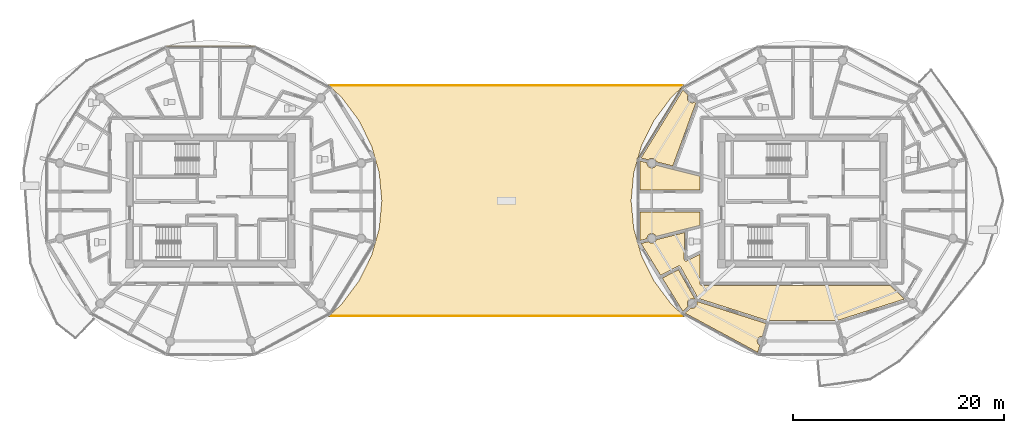
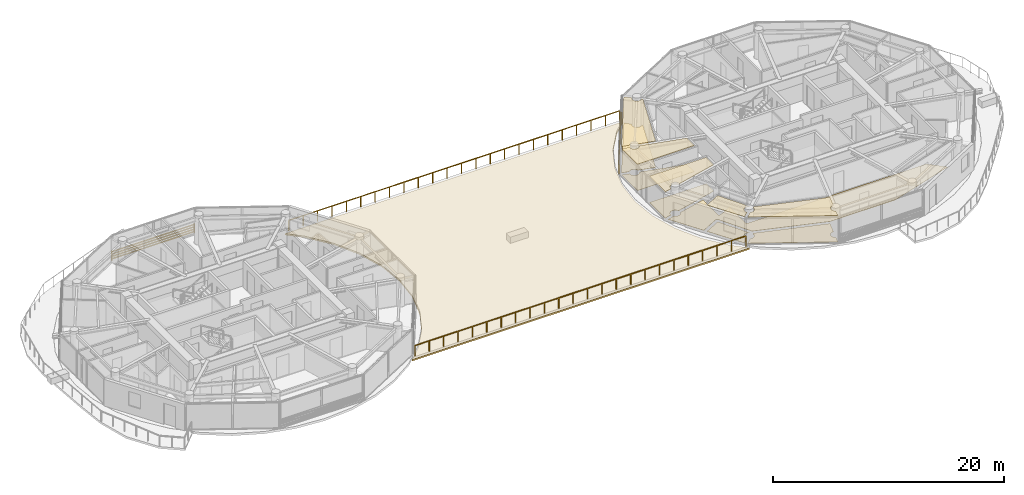
# One storey, part 24 of 30: 12 coverings, 2 railings, 2 shading devices.
"""IFC4 building model written with IfcOpenShell, lengths in metres."""

from ifc_helpers import new_model, si_unit, direction, frame, origin, origin_2d, place, context, subcontext, project, spatial, polyline, rectangle, outline, extrude, source, transform, mapped, material, layer, layer_set, type_object, type_shapes, element, save


model = new_model("IFC4")

# Units and contexts
model_context = context("Model", 3, precision=1e-05, world=origin(), true_north=direction((0.0, 1.0)))
body_context = subcontext(model_context, "Body", "Model", "MODEL_VIEW")
ifc_project = project(units=[si_unit("LENGTHUNIT", "METRE"), si_unit("AREAUNIT", "SQUARE_METRE"), si_unit("VOLUMEUNIT", "CUBIC_METRE"), si_unit("PLANEANGLEUNIT", "RADIAN"), si_unit("MASSUNIT", "GRAM", prefix="KILO")], contexts=[model_context])

# Site, building, storey
site_placement = place(None, origin())
site = spatial("IfcSite", under=ifc_project, at=site_placement, CompositionType="ELEMENT")
building_placement = place(site_placement, origin())
building = spatial("IfcBuilding", under=site, at=building_placement, Name="Norrkilde Senior Care Towers", CompositionType="ELEMENT")
storey_placement = place(building_placement, frame((0.0, 0.0, 232.199951171875)))
storey = spatial("IfcBuildingStorey", under=building, at=storey_placement, Name="L72", CompositionType="ELEMENT", Elevation=232.199951171875)

# Coverings
ifc_material_1 = material(Name="Nordic Ash Timber", Category="wood")
ifc_layer_1 = layer(ifc_material_1, 0.044921875)
ifc_layer_set_1 = layer_set([ifc_layer_1], Name="Nordic Ash Timber")
covering_type_1 = type_object("IfcCoveringType", Name="Acoustic Ash Timber Slatted Ceiling 45", PredefinedType="CEILING", material=ifc_layer_set_1)
covering_1_placement = place(storey_placement, frame((0.0, 0.0, 2.76513671875)))
element("IfcCovering", 1, at=covering_1_placement, inside=storey, type_object=covering_type_1, Name="L72 Suspended Ceiling 0446", PredefinedType="CEILING", context=body_context, shape_type="SweptSolid", body=[
    extrude(outline(polyline([(18.300048828125, -1.0400390625), (18.300048828125, -2.331298828125), (14.165771484375, -3.377685546875), (14.146728515625, -3.331298828125), (14.07421875, -3.237060546875), (13.97998046875, -3.164794921875), (13.870361328125, -3.119384765625), (13.752685546875, -3.103759765625), (13.634765625, -3.119384765625), (13.525146484375, -3.164794921875), (13.430908203125, -3.237060546875), (13.358642578125, -3.331298828125), (13.31298828125, -3.44091796875), (13.297607421875, -3.558837890625), (13.302490234375, -3.59619140625), (12.62646484375, -3.76708984375), (12.62646484375, -1.0400390625), (18.300048828125, -1.0400390625)])), origin(), (0.0, 0.0, 1.0), 0.044921875),
])
covering_2_placement = place(storey_placement, frame((0.0, 0.0, 2.76513671875)))
element("IfcCovering", 2, at=covering_2_placement, inside=storey, type_object=covering_type_1, Name="L72 Suspended Ceiling 0447", PredefinedType="CEILING", context=body_context, shape_type="SweptSolid", body=[
    extrude(outline(polyline([(18.300048828125, 1.0400390625), (12.62646484375, 1.0400390625), (12.62646484375, 3.76708984375), (13.302490234375, 3.59619140625), (13.297607421875, 3.558837890625), (13.31298828125, 3.44091796875), (13.358642578125, 3.331298828125), (13.430908203125, 3.237060546875), (13.525146484375, 3.164794921875), (13.634765625, 3.119384765625), (13.752685546875, 3.103759765625), (13.870361328125, 3.119384765625), (13.97998046875, 3.164794921875), (14.07421875, 3.237060546875), (14.146728515625, 3.331298828125), (14.165771484375, 3.377685546875), (18.300048828125, 2.331298828125), (18.300048828125, 1.0400390625)])), origin(), (0.0, 0.0, 1.0), 0.044921875),
])
covering_3_placement = place(storey_placement, frame((0.0, 0.0, 2.76513671875)))
element("IfcCovering", 3, at=covering_3_placement, inside=storey, type_object=covering_type_1, Name="L72 Suspended Ceiling 0457", PredefinedType="CEILING", context=body_context, shape_type="SweptSolid", body=[
    extrude(outline(polyline([(14.190185546875, 3.680908203125), (14.146728515625, 3.786376953125), (14.07421875, 3.880615234375), (13.97998046875, 3.952880859375), (13.870361328125, 3.998291015625), (13.752685546875, 4.013671875), (13.634765625, 3.998291015625), (13.525146484375, 3.952880859375), (13.430908203125, 3.880615234375), (13.426025390625, 3.874267578125), (12.74267578125, 4.04736328125), (16.686279296875, 10.451904296875), (17.202880859375, 9.985107421875), (17.176025390625, 9.9501953125), (17.130615234375, 9.840576171875), (17.115234375, 9.72265625), (17.130615234375, 9.60498046875), (17.176025390625, 9.4951171875), (17.24853515625, 9.40087890625), (17.3427734375, 9.32861328125), (17.452392578125, 9.283203125), (17.570068359375, 9.267822265625), (17.68798828125, 9.283203125), (17.797607421875, 9.32861328125), (17.868896484375, 9.38330078125), (17.942138671875, 9.317138671875), (15.736328125, 3.28955078125), (14.190185546875, 3.680908203125)])), origin(), (0.0, 0.0, 1.0), 0.044921875),
])
covering_4_placement = place(storey_placement, frame((0.0, 0.0, 2.76513671875)))
element("IfcCovering", 4, at=covering_4_placement, inside=storey, type_object=covering_type_1, Name="L72 Suspended Ceiling 0459", PredefinedType="CEILING", context=body_context, shape_type="SweptSolid", body=[
    extrude(outline(polyline([(17.870361328125, -9.38427734375), (17.797607421875, -9.32861328125), (17.68798828125, -9.283203125), (17.570068359375, -9.267822265625), (17.452392578125, -9.283203125), (17.3427734375, -9.32861328125), (17.24853515625, -9.40087890625), (17.176025390625, -9.4951171875), (17.130615234375, -9.60498046875), (17.115234375, -9.72265625), (17.130615234375, -9.840576171875), (17.176025390625, -9.9501953125), (17.203369140625, -9.985595703125), (16.686279296875, -10.451904296875), (14.753173828125, -7.3125), (16.270263671875, -6.5205078125), (17.870849609375, -9.3837890625), (17.870361328125, -9.38427734375)])), origin(), (0.0, 0.0, 1.0), 0.044921875),
])
covering_5_placement = place(storey_placement, frame((0.0, 0.0, 2.76513671875)))
element("IfcCovering", 5, at=covering_5_placement, inside=storey, type_object=covering_type_1, Name="L72 Suspended Ceiling 0460", PredefinedType="CEILING", context=body_context, shape_type="SweptSolid", body=[
    extrude(outline(polyline([(17.452392578125, -10.162109375), (17.570068359375, -10.177734375), (17.68798828125, -10.162109375), (17.797607421875, -10.11669921875), (17.891845703125, -10.04443359375), (17.964111328125, -9.9501953125), (18.009765625, -9.840576171875), (18.025146484375, -9.72265625), (18.009765625, -9.60498046875), (18.0087890625, -9.6025390625), (18.073486328125, -9.541259765625), (24.572509765625, -11.620361328125), (24.219482421875, -12.831298828125), (24.182373046875, -12.826416015625), (24.064697265625, -12.842041015625), (23.954833984375, -12.887451171875), (23.860595703125, -12.959716796875), (23.788330078125, -13.053955078125), (23.742919921875, -13.163818359375), (23.7275390625, -13.281494140625), (23.742919921875, -13.399169921875), (23.788330078125, -13.509033203125), (23.860595703125, -13.603271484375), (23.954833984375, -13.675537109375), (23.971435546875, -13.682373046875), (23.776123046875, -14.351806640625), (16.91357421875, -10.636962890625), (17.42724609375, -10.15185546875), (17.452392578125, -10.162109375)])), origin(), (0.0, 0.0, 1.0), 0.044921875),
])
ifc_material_2 = material(Name="EPDM Waterproofing and PIR Insulation")
ifc_layer_2 = layer(ifc_material_2, 0.159912109375)
ifc_layer_set_2 = layer_set([ifc_layer_2], Name="EPDM Waterproofing and PIR Insulation")
covering_type_2 = type_object("IfcCoveringType", Name="Insulated EPDM Roof Membrane 160", PredefinedType="ROOFING", material=ifc_layer_set_2)
covering_6_placement = place(storey_placement, frame((0.0, 0.0, -0.389892578125)))
element("IfcCovering", 6, at=covering_6_placement, inside=storey, type_object=covering_type_2, Name="L72 Sky-Gate Bridge Roof Waterproofing", PredefinedType="ROOFING", context=body_context, shape_type="SweptSolid", body=[
    extrude(outline(polyline([(16.893310546875, 11.0), (15.586669921875, 9.77392578125), (15.58642578125, 9.773681640625), (15.586181640625, 9.7734375), (13.96630859375, 7.60302734375), (13.966064453125, 7.6025390625), (13.9658203125, 7.602294921875), (12.7724609375, 5.200927734375), (12.772216796875, 5.200439453125), (12.772216796875, 5.2001953125), (12.041259765625, 2.640869140625), (12.041259765625, 2.640380859375), (12.041015625, 2.639892578125), (11.794921875, 0.00048828125), (11.794921875, 0.0), (11.794921875, -0.00048828125), (12.041015625, -2.639892578125), (12.041259765625, -2.640380859375), (12.041259765625, -2.640869140625), (12.772216796875, -5.2001953125), (12.772216796875, -5.200439453125), (12.7724609375, -5.200927734375), (13.9658203125, -7.602294921875), (13.966064453125, -7.6025390625), (13.96630859375, -7.60302734375), (15.586181640625, -9.7734375), (15.58642578125, -9.773681640625), (15.586669921875, -9.77392578125), (16.893310546875, -11.0), (-16.893310546875, -11.0), (-15.586669921875, -9.77392578125), (-15.58642578125, -9.773681640625), (-15.586181640625, -9.7734375), (-13.96630859375, -7.60302734375), (-13.966064453125, -7.6025390625), (-13.9658203125, -7.602294921875), (-12.7724609375, -5.200927734375), (-12.772216796875, -5.200439453125), (-12.772216796875, -5.2001953125), (-12.041259765625, -2.640869140625), (-12.041259765625, -2.640380859375), (-12.041015625, -2.639892578125), (-11.794921875, -0.00048828125), (-11.794921875, 0.0), (-11.794921875, 0.00048828125), (-12.041015625, 2.639892578125), (-12.041259765625, 2.640380859375), (-12.041259765625, 2.640869140625), (-12.772216796875, 5.2001953125), (-12.772216796875, 5.200439453125), (-12.7724609375, 5.200927734375), (-13.9658203125, 7.602294921875), (-13.966064453125, 7.6025390625), (-13.96630859375, 7.60302734375), (-15.586181640625, 9.7734375), (-15.58642578125, 9.773681640625), (-15.586669921875, 9.77392578125), (-16.893310546875, 11.0), (16.893310546875, 11.0)])), origin(), (0.0, 0.0, 1.0), 0.159912109375),
])
ifc_material_3 = material(Name="Slip-Resistant Porcelain Stone", Category="masonry")
ifc_layer_3 = layer(ifc_material_3, 0.02490234375)
ifc_layer_set_3 = layer_set([ifc_layer_3], Name="Slip-Resistant Porcelain Stone")
covering_type_3 = type_object("IfcCoveringType", Name="Slip-Resistant Porcelain Flooring 25", PredefinedType="FLOORING", material=ifc_layer_set_3)
covering_7_placement = place(storey_placement, origin())
element("IfcCovering", 7, at=covering_7_placement, inside=storey, type_object=covering_type_3, Name="L72 Floor Finish 0446", PredefinedType="FLOORING", context=body_context, shape_type="SweptSolid", body=[
    extrude(outline(polyline([(18.300048828125, -1.0400390625), (18.300048828125, -2.331298828125), (14.165771484375, -3.377685546875), (14.146728515625, -3.331298828125), (14.07421875, -3.237060546875), (13.97998046875, -3.164794921875), (13.870361328125, -3.119384765625), (13.752685546875, -3.103759765625), (13.634765625, -3.119384765625), (13.525146484375, -3.164794921875), (13.430908203125, -3.237060546875), (13.358642578125, -3.331298828125), (13.31298828125, -3.44091796875), (13.297607421875, -3.558837890625), (13.302490234375, -3.59619140625), (12.62646484375, -3.76708984375), (12.62646484375, -1.0400390625), (18.300048828125, -1.0400390625)])), origin(), (0.0, 0.0, 1.0), 0.025146484375),
])
covering_8_placement = place(storey_placement, origin())
element("IfcCovering", 8, at=covering_8_placement, inside=storey, type_object=covering_type_3, Name="L72 Floor Finish 0447", PredefinedType="FLOORING", context=body_context, shape_type="SweptSolid", body=[
    extrude(outline(polyline([(18.300048828125, 1.0400390625), (12.62646484375, 1.0400390625), (12.62646484375, 3.76708984375), (13.302490234375, 3.59619140625), (13.297607421875, 3.558837890625), (13.31298828125, 3.44091796875), (13.358642578125, 3.331298828125), (13.430908203125, 3.237060546875), (13.525146484375, 3.164794921875), (13.634765625, 3.119384765625), (13.752685546875, 3.103759765625), (13.870361328125, 3.119384765625), (13.97998046875, 3.164794921875), (14.07421875, 3.237060546875), (14.146728515625, 3.331298828125), (14.165771484375, 3.377685546875), (18.300048828125, 2.331298828125), (18.300048828125, 1.0400390625)])), origin(), (0.0, 0.0, 1.0), 0.025146484375),
])
covering_9_placement = place(storey_placement, origin())
element("IfcCovering", 9, at=covering_9_placement, inside=storey, type_object=covering_type_3, Name="L72 Floor Finish 0457", PredefinedType="FLOORING", context=body_context, shape_type="SweptSolid", body=[
    extrude(outline(polyline([(14.190185546875, 3.680908203125), (14.146728515625, 3.786376953125), (14.07421875, 3.880615234375), (13.97998046875, 3.952880859375), (13.870361328125, 3.998291015625), (13.752685546875, 4.013671875), (13.634765625, 3.998291015625), (13.525146484375, 3.952880859375), (13.430908203125, 3.880615234375), (13.426025390625, 3.874267578125), (12.74267578125, 4.04736328125), (16.686279296875, 10.451904296875), (17.202880859375, 9.985107421875), (17.176025390625, 9.9501953125), (17.130615234375, 9.840576171875), (17.115234375, 9.72265625), (17.130615234375, 9.60498046875), (17.176025390625, 9.4951171875), (17.24853515625, 9.40087890625), (17.3427734375, 9.32861328125), (17.452392578125, 9.283203125), (17.570068359375, 9.267822265625), (17.68798828125, 9.283203125), (17.797607421875, 9.32861328125), (17.868896484375, 9.38330078125), (17.942138671875, 9.317138671875), (15.736328125, 3.28955078125), (14.190185546875, 3.680908203125)])), origin(), (0.0, 0.0, 1.0), 0.025146484375),
])
covering_10_placement = place(storey_placement, origin())
element("IfcCovering", 10, at=covering_10_placement, inside=storey, type_object=covering_type_3, Name="L72 Floor Finish 0458", PredefinedType="FLOORING", context=body_context, shape_type="SweptSolid", body=[
    extrude(outline(polyline([(16.817626953125, -5.54150390625), (16.819580078125, -5.552978515625), (16.8212890625, -5.5595703125), (16.824462890625, -5.57080078125), (16.82666015625, -5.577392578125), (16.8310546875, -5.588134765625), (16.833740234375, -5.594482421875), (16.839111328125, -5.604736328125), (16.842529296875, -5.610595703125), (16.848876953125, -5.62060546875), (16.85302734375, -5.6259765625), (16.860107421875, -5.63525390625), (16.86474609375, -5.640380859375), (16.872802734375, -5.648681640625), (16.877685546875, -5.653564453125), (16.88671875, -5.6611328125), (16.89208984375, -5.665283203125), (16.901611328125, -5.671875), (16.907470703125, -5.675537109375), (16.917724609375, -5.68115234375), (16.923828125, -5.684326171875), (16.9345703125, -5.68896484375), (16.94091796875, -5.69140625), (16.951904296875, -5.695068359375), (16.95849609375, -5.69677734375), (16.969970703125, -5.69921875), (16.976806640625, -5.700439453125), (16.98828125, -5.701904296875), (16.9951171875, -5.702392578125), (17.0068359375, -5.70263671875), (17.013671875, -5.702392578125), (17.025390625, -5.70166015625), (17.031982421875, -5.70068359375), (17.043701171875, -5.69873046875), (17.05029296875, -5.697265625), (17.0615234375, -5.694091796875), (17.068115234375, -5.69189453125), (17.078857421875, -5.687744140625), (17.085205078125, -5.68505859375), (17.090576171875, -5.6826171875), (18.300048828125, -5.076171875), (18.300048828125, -7.800048828125), (18.300048828125, -7.805908203125), (18.300537109375, -7.813720703125), (18.3017578125, -7.825439453125), (18.302734375, -7.833251953125), (18.30517578125, -7.8447265625), (18.30712890625, -7.852294921875), (18.310546875, -7.86376953125), (18.31298828125, -7.87109375), (18.317626953125, -7.8818359375), (18.321044921875, -7.888916015625), (18.326416015625, -7.8994140625), (18.33056640625, -7.90625), (18.337158203125, -7.916015625), (18.341796875, -7.92236328125), (18.34912109375, -7.931396484375), (18.3544921875, -7.937255859375), (18.36279296875, -7.945556640625), (18.36865234375, -7.95068359375), (18.377685546875, -7.958251953125), (18.384033203125, -7.962890625), (18.393798828125, -7.969482421875), (18.400634765625, -7.973388671875), (18.410888671875, -7.97900390625), (18.41796875, -7.982421875), (18.428955078125, -7.98681640625), (18.436279296875, -7.989501953125), (18.447509765625, -7.992919921875), (18.455322265625, -7.994873046875), (18.466796875, -7.9970703125), (18.474609375, -7.998291015625), (18.486328125, -7.99951171875), (18.494140625, -7.999755859375), (18.5, -8.0), (36.294677734375, -8.0), (37.6689453125, -9.298095703125), (31.258544921875, -11.348876953125), (24.741455078125, -11.348876953125), (18.1455078125, -9.23876953125), (16.48388671875, -6.267333984375), (16.48095703125, -6.262451171875), (16.477294921875, -6.256591796875), (16.470703125, -6.2470703125), (16.466796875, -6.24169921875), (16.459228515625, -6.23291015625), (16.45458984375, -6.22802734375), (16.4462890625, -6.219970703125), (16.441162109375, -6.215576171875), (16.432373046875, -6.208251953125), (16.4267578125, -6.204345703125), (16.4169921875, -6.197998046875), (16.411376953125, -6.194580078125), (16.401123046875, -6.189208984375), (16.39501953125, -6.186279296875), (16.38427734375, -6.18212890625), (16.3779296875, -6.1796875), (16.36669921875, -6.176513671875), (16.360107421875, -6.1748046875), (16.348876953125, -6.172607421875), (16.34228515625, -6.171630859375), (16.330810546875, -6.17041015625), (16.323974609375, -6.170166015625), (16.3125, -6.170166015625), (16.3056640625, -6.17041015625), (16.294189453125, -6.171630859375), (16.287353515625, -6.172607421875), (16.276123046875, -6.1748046875), (16.26953125, -6.176513671875), (16.258544921875, -6.1796875), (16.252197265625, -6.181884765625), (16.241455078125, -6.186279296875), (16.2353515625, -6.189208984375), (16.22998046875, -6.191650390625), (14.59033203125, -7.0478515625), (12.74267578125, -4.04736328125), (13.426025390625, -3.874267578125), (13.430908203125, -3.880615234375), (13.525146484375, -3.952880859375), (13.634765625, -3.998291015625), (13.752685546875, -4.013671875), (13.870361328125, -3.998291015625), (13.97998046875, -3.952880859375), (14.07421875, -3.880615234375), (14.146728515625, -3.786376953125), (14.190185546875, -3.680908203125), (16.84521484375, -3.0087890625), (16.8154296875, -5.510498046875), (16.8154296875, -5.516357421875), (16.815673828125, -5.523193359375), (16.816650390625, -5.53466796875), (16.817626953125, -5.54150390625)])), origin(), (0.0, 0.0, 1.0), 0.025146484375),
])
covering_11_placement = place(storey_placement, origin())
element("IfcCovering", 11, at=covering_11_placement, inside=storey, type_object=covering_type_3, Name="L72 Floor Finish 0459", PredefinedType="FLOORING", context=body_context, shape_type="SweptSolid", body=[
    extrude(outline(polyline([(17.870361328125, -9.38427734375), (17.797607421875, -9.32861328125), (17.68798828125, -9.283203125), (17.570068359375, -9.267822265625), (17.452392578125, -9.283203125), (17.3427734375, -9.32861328125), (17.24853515625, -9.40087890625), (17.176025390625, -9.4951171875), (17.130615234375, -9.60498046875), (17.115234375, -9.72265625), (17.130615234375, -9.840576171875), (17.176025390625, -9.9501953125), (17.203369140625, -9.985595703125), (16.686279296875, -10.451904296875), (14.753173828125, -7.3125), (16.270263671875, -6.5205078125), (17.870849609375, -9.3837890625), (17.870361328125, -9.38427734375)])), origin(), (0.0, 0.0, 1.0), 0.025146484375),
])
covering_12_placement = place(storey_placement, origin())
element("IfcCovering", 12, at=covering_12_placement, inside=storey, type_object=covering_type_3, Name="L72 Floor Finish 0460", PredefinedType="FLOORING", context=body_context, shape_type="SweptSolid", body=[
    extrude(outline(polyline([(17.452392578125, -10.162109375), (17.570068359375, -10.177734375), (17.68798828125, -10.162109375), (17.797607421875, -10.11669921875), (17.891845703125, -10.04443359375), (17.964111328125, -9.9501953125), (18.009765625, -9.840576171875), (18.025146484375, -9.72265625), (18.009765625, -9.60498046875), (18.0087890625, -9.6025390625), (18.073486328125, -9.541259765625), (24.572509765625, -11.620361328125), (24.219482421875, -12.831298828125), (24.182373046875, -12.826416015625), (24.064697265625, -12.842041015625), (23.954833984375, -12.887451171875), (23.860595703125, -12.959716796875), (23.788330078125, -13.053955078125), (23.742919921875, -13.163818359375), (23.7275390625, -13.281494140625), (23.742919921875, -13.399169921875), (23.788330078125, -13.509033203125), (23.860595703125, -13.603271484375), (23.954833984375, -13.675537109375), (23.971435546875, -13.682373046875), (23.776123046875, -14.351806640625), (16.91357421875, -10.636962890625), (17.42724609375, -10.15185546875), (17.452392578125, -10.162109375)])), origin(), (0.0, 0.0, 1.0), 0.025146484375),
])

# Railings
ifc_material_4 = material(Name="Stainless Steel", Category="steel")
railing_type = type_object("IfcRailingType", Name="Stair and Terrace Guardrail 1100", PredefinedType="GUARDRAIL", material=ifc_material_4)
railing_1_placement = place(storey_placement, frame((16.55224609375, -10.919921875, 0.0)))
element("IfcRailing", 13, at=railing_1_placement, inside=storey, type_object=railing_type, Name="L72 Perimeter Safety Guard 03", PredefinedType="GUARDRAIL", context=body_context, shape_type="SweptSolid", body=[
    extrude(rectangle(XDim=0.048095703125, YDim=0.048095703125, at=origin_2d()), frame((0.0, 0.0, 1.09619140625), z_axis=(-1.0, 0.0, 0.0), x_axis=(0.0, -1.0, 0.0)), (0.0, 0.0, 1.0), 33.1044921875),
    extrude(rectangle(XDim=0.0419921875, YDim=0.0419921875, at=origin_2d()), origin(), (0.0, 0.0, 1.0), 1.070068359375),
    extrude(rectangle(XDim=0.0419921875, YDim=0.0419921875, at=origin_2d()), frame((-1.439208984375, 0.0, 0.0)), (0.0, 0.0, 1.0), 1.070068359375),
    extrude(rectangle(XDim=0.0419921875, YDim=0.0419921875, at=origin_2d()), frame((-2.878662109375, 0.0, 0.0)), (0.0, 0.0, 1.0), 1.070068359375),
    extrude(rectangle(XDim=0.0419921875, YDim=0.0419921875, at=origin_2d()), frame((-4.31787109375, 0.0, 0.0)), (0.0, 0.0, 1.0), 1.070068359375),
    extrude(rectangle(XDim=0.0419921875, YDim=0.0419921875, at=origin_2d()), frame((-5.75732421875, 0.0, 0.0)), (0.0, 0.0, 1.0), 1.070068359375),
    extrude(rectangle(XDim=0.0419921875, YDim=0.0419921875, at=origin_2d()), frame((-7.196533203125, 0.0, 0.0)), (0.0, 0.0, 1.0), 1.070068359375),
    extrude(rectangle(XDim=0.0419921875, YDim=0.0419921875, at=origin_2d()), frame((-8.635986328125, 0.0, 0.0)), (0.0, 0.0, 1.0), 1.070068359375),
    extrude(rectangle(XDim=0.0419921875, YDim=0.0419921875, at=origin_2d()), frame((-10.0751953125, 0.0, 0.0)), (0.0, 0.0, 1.0), 1.070068359375),
    extrude(rectangle(XDim=0.0419921875, YDim=0.0419921875, at=origin_2d()), frame((-11.5146484375, 0.0, 0.0)), (0.0, 0.0, 1.0), 1.070068359375),
    extrude(rectangle(XDim=0.0419921875, YDim=0.0419921875, at=origin_2d()), frame((-12.953857421875, 0.0, 0.0)), (0.0, 0.0, 1.0), 1.070068359375),
    extrude(rectangle(XDim=0.0419921875, YDim=0.0419921875, at=origin_2d()), frame((-14.393310546875, 0.0, 0.0)), (0.0, 0.0, 1.0), 1.070068359375),
    extrude(rectangle(XDim=0.0419921875, YDim=0.0419921875, at=origin_2d()), frame((-15.83251953125, 0.0, 0.0)), (0.0, 0.0, 1.0), 1.070068359375),
    extrude(rectangle(XDim=0.0419921875, YDim=0.0419921875, at=origin_2d()), frame((-17.27197265625, 0.0, 0.0)), (0.0, 0.0, 1.0), 1.070068359375),
    extrude(rectangle(XDim=0.0419921875, YDim=0.0419921875, at=origin_2d()), frame((-18.711181640625, 0.0, 0.0)), (0.0, 0.0, 1.0), 1.070068359375),
    extrude(rectangle(XDim=0.0419921875, YDim=0.0419921875, at=origin_2d()), frame((-20.150634765625, 0.0, 0.0)), (0.0, 0.0, 1.0), 1.070068359375),
    extrude(rectangle(XDim=0.0419921875, YDim=0.0419921875, at=origin_2d()), frame((-21.58984375, 0.0, 0.0)), (0.0, 0.0, 1.0), 1.070068359375),
    extrude(rectangle(XDim=0.0419921875, YDim=0.0419921875, at=origin_2d()), frame((-23.029296875, 0.0, 0.0)), (0.0, 0.0, 1.0), 1.070068359375),
    extrude(rectangle(XDim=0.0419921875, YDim=0.0419921875, at=origin_2d()), frame((-24.468505859375, 0.0, 0.0)), (0.0, 0.0, 1.0), 1.070068359375),
    extrude(rectangle(XDim=0.0419921875, YDim=0.0419921875, at=origin_2d()), frame((-25.907958984375, 0.0, 0.0)), (0.0, 0.0, 1.0), 1.070068359375),
    extrude(rectangle(XDim=0.0419921875, YDim=0.0419921875, at=origin_2d()), frame((-27.34716796875, 0.0, 0.0)), (0.0, 0.0, 1.0), 1.070068359375),
    extrude(rectangle(XDim=0.0419921875, YDim=0.0419921875, at=origin_2d()), frame((-28.78662109375, 0.0, 0.0)), (0.0, 0.0, 1.0), 1.070068359375),
    extrude(rectangle(XDim=0.0419921875, YDim=0.0419921875, at=origin_2d()), frame((-30.225830078125, 0.0, 0.0)), (0.0, 0.0, 1.0), 1.070068359375),
    extrude(rectangle(XDim=0.0419921875, YDim=0.0419921875, at=origin_2d()), frame((-31.665283203125, 0.0, 0.0)), (0.0, 0.0, 1.0), 1.070068359375),
    extrude(rectangle(XDim=0.0419921875, YDim=0.0419921875, at=origin_2d()), frame((-33.1044921875, 0.0, 0.0)), (0.0, 0.0, 1.0), 1.070068359375),
])
railing_2_placement = place(storey_placement, frame((-16.55224609375, 10.919921875, 0.0)))
element("IfcRailing", 14, at=railing_2_placement, inside=storey, type_object=railing_type, Name="L72 Perimeter Safety Guard 04", PredefinedType="GUARDRAIL", context=body_context, shape_type="SweptSolid", body=[
    extrude(rectangle(XDim=0.048095703125, YDim=0.048095703125, at=origin_2d()), frame((0.0, 0.0, 1.09619140625), z_axis=(1.0, 0.0, 0.0), x_axis=(0.0, 1.0, 0.0)), (0.0, 0.0, 1.0), 33.1044921875),
    extrude(rectangle(XDim=0.0419921875, YDim=0.0419921875, at=origin_2d()), origin(), (0.0, 0.0, 1.0), 1.070068359375),
    extrude(rectangle(XDim=0.0419921875, YDim=0.0419921875, at=origin_2d()), frame((1.439208984375, 0.0, 0.0)), (0.0, 0.0, 1.0), 1.070068359375),
    extrude(rectangle(XDim=0.0419921875, YDim=0.0419921875, at=origin_2d()), frame((2.878662109375, 0.0, 0.0)), (0.0, 0.0, 1.0), 1.070068359375),
    extrude(rectangle(XDim=0.0419921875, YDim=0.0419921875, at=origin_2d()), frame((4.31787109375, 0.0, 0.0)), (0.0, 0.0, 1.0), 1.070068359375),
    extrude(rectangle(XDim=0.0419921875, YDim=0.0419921875, at=origin_2d()), frame((5.75732421875, 0.0, 0.0)), (0.0, 0.0, 1.0), 1.070068359375),
    extrude(rectangle(XDim=0.0419921875, YDim=0.0419921875, at=origin_2d()), frame((7.196533203125, 0.0, 0.0)), (0.0, 0.0, 1.0), 1.070068359375),
    extrude(rectangle(XDim=0.0419921875, YDim=0.0419921875, at=origin_2d()), frame((8.635986328125, 0.0, 0.0)), (0.0, 0.0, 1.0), 1.070068359375),
    extrude(rectangle(XDim=0.0419921875, YDim=0.0419921875, at=origin_2d()), frame((10.0751953125, 0.0, 0.0)), (0.0, 0.0, 1.0), 1.070068359375),
    extrude(rectangle(XDim=0.0419921875, YDim=0.0419921875, at=origin_2d()), frame((11.5146484375, 0.0, 0.0)), (0.0, 0.0, 1.0), 1.070068359375),
    extrude(rectangle(XDim=0.0419921875, YDim=0.0419921875, at=origin_2d()), frame((12.953857421875, 0.0, 0.0)), (0.0, 0.0, 1.0), 1.070068359375),
    extrude(rectangle(XDim=0.0419921875, YDim=0.0419921875, at=origin_2d()), frame((14.393310546875, 0.0, 0.0)), (0.0, 0.0, 1.0), 1.070068359375),
    extrude(rectangle(XDim=0.0419921875, YDim=0.0419921875, at=origin_2d()), frame((15.83251953125, 0.0, 0.0)), (0.0, 0.0, 1.0), 1.070068359375),
    extrude(rectangle(XDim=0.0419921875, YDim=0.0419921875, at=origin_2d()), frame((17.27197265625, 0.0, 0.0)), (0.0, 0.0, 1.0), 1.070068359375),
    extrude(rectangle(XDim=0.0419921875, YDim=0.0419921875, at=origin_2d()), frame((18.711181640625, 0.0, 0.0)), (0.0, 0.0, 1.0), 1.070068359375),
    extrude(rectangle(XDim=0.0419921875, YDim=0.0419921875, at=origin_2d()), frame((20.150634765625, 0.0, 0.0)), (0.0, 0.0, 1.0), 1.070068359375),
    extrude(rectangle(XDim=0.0419921875, YDim=0.0419921875, at=origin_2d()), frame((21.58984375, 0.0, 0.0)), (0.0, 0.0, 1.0), 1.070068359375),
    extrude(rectangle(XDim=0.0419921875, YDim=0.0419921875, at=origin_2d()), frame((23.029296875, 0.0, 0.0)), (0.0, 0.0, 1.0), 1.070068359375),
    extrude(rectangle(XDim=0.0419921875, YDim=0.0419921875, at=origin_2d()), frame((24.468505859375, 0.0, 0.0)), (0.0, 0.0, 1.0), 1.070068359375),
    extrude(rectangle(XDim=0.0419921875, YDim=0.0419921875, at=origin_2d()), frame((25.907958984375, 0.0, 0.0)), (0.0, 0.0, 1.0), 1.070068359375),
    extrude(rectangle(XDim=0.0419921875, YDim=0.0419921875, at=origin_2d()), frame((27.34716796875, 0.0, 0.0)), (0.0, 0.0, 1.0), 1.070068359375),
    extrude(rectangle(XDim=0.0419921875, YDim=0.0419921875, at=origin_2d()), frame((28.78662109375, 0.0, 0.0)), (0.0, 0.0, 1.0), 1.070068359375),
    extrude(rectangle(XDim=0.0419921875, YDim=0.0419921875, at=origin_2d()), frame((30.225830078125, 0.0, 0.0)), (0.0, 0.0, 1.0), 1.070068359375),
    extrude(rectangle(XDim=0.0419921875, YDim=0.0419921875, at=origin_2d()), frame((31.665283203125, 0.0, 0.0)), (0.0, 0.0, 1.0), 1.070068359375),
    extrude(rectangle(XDim=0.0419921875, YDim=0.0419921875, at=origin_2d()), frame((33.1044921875, 0.0, 0.0)), (0.0, 0.0, 1.0), 1.070068359375),
])

# Shading devices
ifc_material_5 = material(Name="Architectural Terracotta", Category="masonry")
shading_device_type = type_object("IfcShadingDeviceType", Name="Horizontal Terracotta Baguette Rack", PredefinedType="USERDEFINED", material=ifc_material_5)
shared_shape_1 = source(origin(), body_context, "Body", "SweptSolid", [
    extrude(rectangle(XDim=0.070068359375, YDim=0.110107421875, at=origin_2d()), frame((0.0, 0.090087890625, 0.125), z_axis=(1.0, 0.0, 0.0), x_axis=(0.0, 1.0, 0.0)), (0.0, 0.0, 1.0), 7.938232421875),
    extrude(rectangle(XDim=0.070068359375, YDim=0.110107421875, at=origin_2d()), frame((0.0, 0.090087890625, 0.375), z_axis=(1.0, 0.0, 0.0), x_axis=(0.0, 1.0, 0.0)), (0.0, 0.0, 1.0), 7.938232421875),
    extrude(rectangle(XDim=0.070068359375, YDim=0.110107421875, at=origin_2d()), frame((0.0, 0.090087890625, 0.625), z_axis=(1.0, 0.0, 0.0), x_axis=(0.0, 1.0, 0.0)), (0.0, 0.0, 1.0), 7.938232421875),
    extrude(rectangle(XDim=0.070068359375, YDim=0.110107421875, at=origin_2d()), frame((0.0, 0.090087890625, 0.875), z_axis=(1.0, 0.0, 0.0), x_axis=(0.0, 1.0, 0.0)), (0.0, 0.0, 1.0), 7.938232421875),
    extrude(rectangle(XDim=0.050048828125, YDim=0.1552734375, at=origin_2d()), frame((0.02490234375, 0.047607421875, 0.0)), (0.0, 0.0, 1.0), 1.0),
    extrude(rectangle(XDim=0.050048828125, YDim=0.1552734375, at=origin_2d()), frame((7.9130859375, 0.047607421875, 0.0)), (0.0, 0.0, 1.0), 1.0),
])
shading_device_1_placement = place(storey_placement, frame((12.468017578125, 3.903076171875, 0.080078125), z_axis=(0.0, 0.0, 1.0), x_axis=(0.524250345994, 0.851576195602, 0.0)))
element("IfcShadingDevice", 15, at=shading_device_1_placement, inside=storey, type_object=shading_device_type, Name="L72 Drum E Terracotta Baguette Screen 04", ObjectType="BAGUETTE", PredefinedType="USERDEFINED", context=body_context, shape_type="MappedRepresentation", body=[
    mapped(shared_shape_1, transform((0.0, 0.0, 0.0), x_axis=(1.0, 0.0, 0.0), y_axis=(0.0, 1.0, 0.0), z_axis=(0.0, 0.0, 1.0), scale=1.0)),
])
shared_shape_2 = source(origin(), body_context, "Body", "SweptSolid", [
    extrude(rectangle(XDim=0.070068359375, YDim=0.110107421875, at=origin_2d()), frame((0.0, 0.090087890625, 0.125), z_axis=(1.0, 0.0, 0.0), x_axis=(0.0, 1.0, 0.0)), (0.0, 0.0, 1.0), 8.32373046875),
    extrude(rectangle(XDim=0.070068359375, YDim=0.110107421875, at=origin_2d()), frame((0.0, 0.090087890625, 0.375), z_axis=(1.0, 0.0, 0.0), x_axis=(0.0, 1.0, 0.0)), (0.0, 0.0, 1.0), 8.32373046875),
    extrude(rectangle(XDim=0.070068359375, YDim=0.110107421875, at=origin_2d()), frame((0.0, 0.090087890625, 0.625), z_axis=(1.0, 0.0, 0.0), x_axis=(0.0, 1.0, 0.0)), (0.0, 0.0, 1.0), 8.32373046875),
    extrude(rectangle(XDim=0.070068359375, YDim=0.110107421875, at=origin_2d()), frame((0.0, 0.090087890625, 0.875), z_axis=(1.0, 0.0, 0.0), x_axis=(0.0, 1.0, 0.0)), (0.0, 0.0, 1.0), 8.32373046875),
    extrude(rectangle(XDim=0.050048828125, YDim=0.1552734375, at=origin_2d()), frame((0.02490234375, 0.047607421875, 0.0)), (0.0, 0.0, 1.0), 1.0),
    extrude(rectangle(XDim=0.050048828125, YDim=0.1552734375, at=origin_2d()), frame((8.298828125, 0.047607421875, 0.0)), (0.0, 0.0, 1.0), 1.0),
])
type_shapes(shading_device_type, [shared_shape_1, shared_shape_2])
shading_device_2_placement = place(storey_placement, frame((-32.161865234375, 14.566162109375, 0.080078125), z_axis=(0.0, 0.0, 1.0), x_axis=(1.0, 0.0, 0.0)))
element("IfcShadingDevice", 16, at=shading_device_2_placement, inside=storey, type_object=shading_device_type, Name="L72 Drum W Terracotta Baguette Screen 02", ObjectType="BAGUETTE", PredefinedType="USERDEFINED", context=body_context, shape_type="MappedRepresentation", body=[
    mapped(shared_shape_2, transform((0.0, 0.0, 0.0), x_axis=(1.0, 0.0, 0.0), y_axis=(0.0, 1.0, 0.0), z_axis=(0.0, 0.0, 1.0), scale=1.0)),
])

save(model, "model.ifc")
